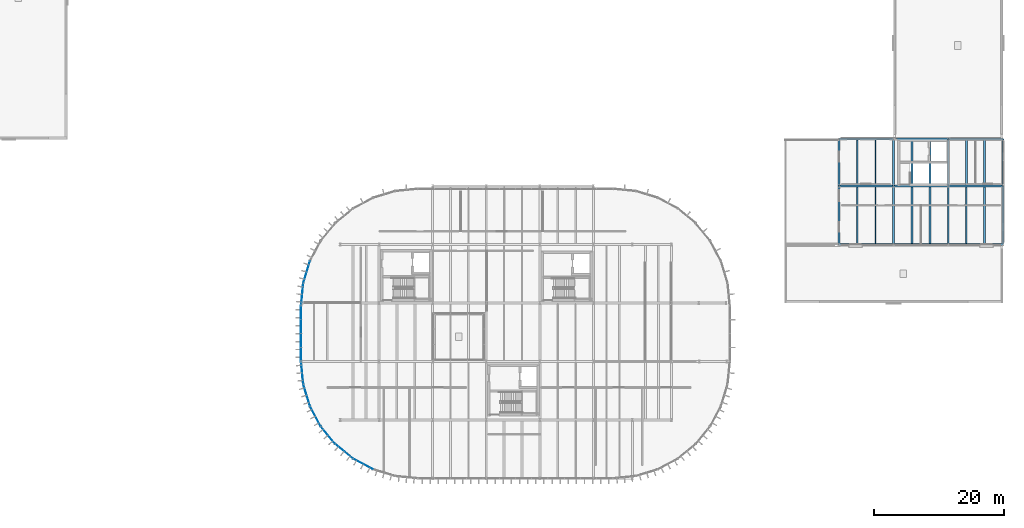
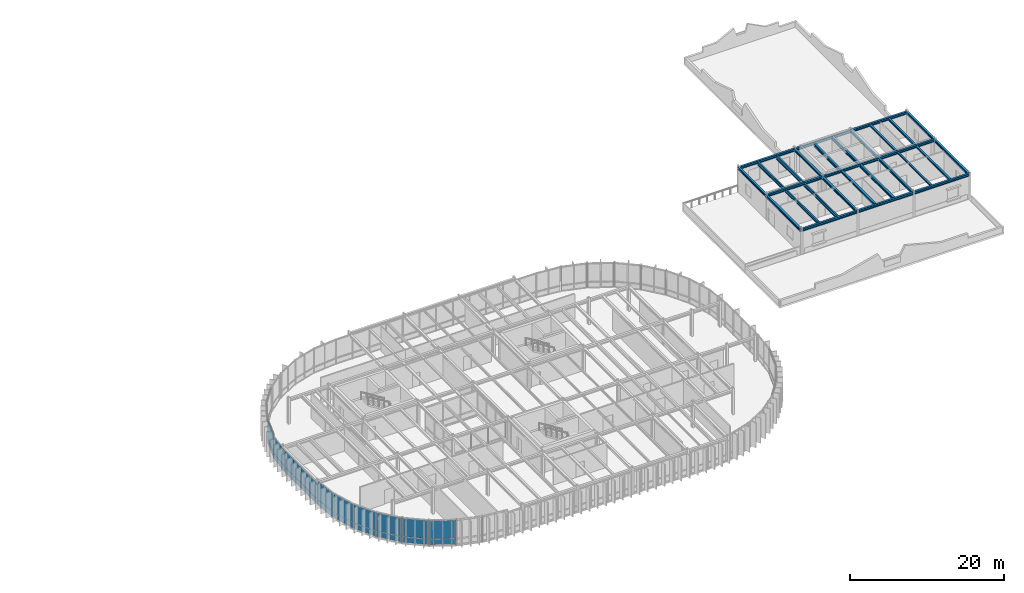
# One storey, part 16 of 31: 29 beams, 24 plates, 9 elements without a shape of their own.
"""IFC4 building model written with IfcOpenShell, lengths in metres."""

from ifc_helpers import new_model, si_unit, direction, frame, origin, origin_2d, place, context, subcontext, project, spatial, rectangle, i_section, extrude, material, layer, layer_set, material_profile, profile_set, type_object, element, aggregate, save


model = new_model("IFC4")

# Units and contexts
model_context = context("Model", 3, precision=1e-05, world=origin(), true_north=direction((0.0, 1.0)))
body_context = subcontext(model_context, "Body", "Model", "MODEL_VIEW")
ifc_project = project(units=[si_unit("LENGTHUNIT", "METRE"), si_unit("AREAUNIT", "SQUARE_METRE"), si_unit("VOLUMEUNIT", "CUBIC_METRE"), si_unit("PLANEANGLEUNIT", "RADIAN"), si_unit("MASSUNIT", "GRAM", prefix="KILO")], contexts=[model_context])

# Site, building, storey
site_placement = place(None, origin())
site = spatial("IfcSite", under=ifc_project, at=site_placement, CompositionType="ELEMENT")
building_placement = place(site_placement, origin())
building = spatial("IfcBuilding", under=site, at=building_placement, Name="Montealbar Specialist Clinic", CompositionType="ELEMENT")
storey_placement = place(building_placement, frame((0.0, 0.0, 13.800048828125)))
storey = spatial("IfcBuildingStorey", under=building, at=storey_placement, Name="L03", CompositionType="ELEMENT", Elevation=13.800048828125)

# Beams
ifc_material_1 = material(Name="Steel S355", Category="steel")
ifc_material_profile_1 = material_profile(ifc_material_1, i_section(OverallWidth=0.300048828125, OverallDepth=0.360107421875, WebThickness=0.012451171875, FlangeThickness=0.0224609375, FilletRadius=0.027099609375, at=origin_2d()), Name="HEB 360", Category="steel")
ifc_profile_set_1 = profile_set([ifc_material_profile_1], Name="Steel S355")
beam_type_1 = type_object("IfcBeamType", Name="BM-GIRD-HEB360-EXT", PredefinedType="BEAM", material=ifc_profile_set_1)
for number, where, z_axis, x_axis, name in (
    (1, (136.800048828125, 45.0, 3.75), (0.0, 1.0, 0.0), (-1.0, 0.0, 0.0), "Beam GY-L03-1368-450-522"),
    (2, (145.199951171875, 45.0, 3.75), (0.0, 1.0, 0.0), (-1.0, 0.0, 0.0), "Beam GY-L03-1452-450-522"),
    (3, (153.60009765625, 45.0, 3.75), (0.0, 1.0, 0.0), (-1.0, 0.0, 0.0), "Beam GY-L03-1536-450-522"),
    (4, (162.0, 45.0, 3.75), (0.0, 1.0, 0.0), (-1.0, 0.0, 0.0), "Beam GY-L03-1620-450-522"),
):
    element("IfcBeam", number, at=place(storey_placement, frame(where, z_axis=z_axis, x_axis=x_axis)), inside=storey, type_object=beam_type_1, Name=name, PredefinedType="BEAM", context=body_context, shape_type="SweptSolid", body=[
        extrude(i_section(OverallWidth=0.300048828125, OverallDepth=0.360107421875, WebThickness=0.012451171875, FlangeThickness=0.0224609375, FilletRadius=0.027099609375, at=origin_2d()), origin(), (0.0, 0.0, 1.0), 7.199951171875),
    ])
ifc_material_profile_2 = material_profile(ifc_material_1, i_section(OverallWidth=0.300048828125, OverallDepth=0.39990234375, WebThickness=0.013427734375, FlangeThickness=0.02392578125, FilletRadius=0.027099609375, at=origin_2d()), Name="HEB 400", Category="steel")
ifc_profile_set_2 = profile_set([ifc_material_profile_2], Name="Steel S355")
beam_type_2 = type_object("IfcBeamType", Name="BM-GIRD-HEB400-EXT", PredefinedType="BEAM", material=ifc_profile_set_2)
beam_1_placement = place(storey_placement, frame((136.800048828125, 36.0, 3.72998046875), z_axis=(1.0, 0.0, 0.0), x_axis=(0.0, 1.0, 0.0)))
element("IfcBeam", 5, at=beam_1_placement, inside=storey, type_object=beam_type_2, Name="Beam GX-L03-1368-1452-360", PredefinedType="BEAM", context=body_context, shape_type="SweptSolid", body=[
    extrude(i_section(OverallWidth=0.300048828125, OverallDepth=0.39990234375, WebThickness=0.013427734375, FlangeThickness=0.02392578125, FilletRadius=0.027099609375, at=origin_2d()), origin(), (0.0, 0.0, 1.0), 8.39990234375),
])
beam_2_placement = place(storey_placement, frame((145.199951171875, 36.0, 3.72998046875), z_axis=(1.0, 0.0, 0.0), x_axis=(0.0, 1.0, 0.0)))
element("IfcBeam", 6, at=beam_2_placement, inside=storey, type_object=beam_type_2, Name="Beam GX-L03-1452-1536-360", PredefinedType="BEAM", context=body_context, shape_type="SweptSolid", body=[
    extrude(i_section(OverallWidth=0.300048828125, OverallDepth=0.39990234375, WebThickness=0.013427734375, FlangeThickness=0.02392578125, FilletRadius=0.027099609375, at=origin_2d()), origin(), (0.0, 0.0, 1.0), 8.400146484375),
])
for number, where, z_axis, x_axis, name in (
    (7, (153.60009765625, 36.0, 3.72998046875), (1.0, 0.0, 0.0), (0.0, 1.0, 0.0), "Beam GX-L03-1536-1620-360"),
    (8, (136.800048828125, 45.0, 3.72998046875), (1.0, 0.0, 0.0), (0.0, 1.0, 0.0), "Beam GX-L03-1368-1452-450"),
):
    element("IfcBeam", number, at=place(storey_placement, frame(where, z_axis=z_axis, x_axis=x_axis)), inside=storey, type_object=beam_type_2, Name=name, PredefinedType="BEAM", context=body_context, shape_type="SweptSolid", body=[
        extrude(i_section(OverallWidth=0.300048828125, OverallDepth=0.39990234375, WebThickness=0.013427734375, FlangeThickness=0.02392578125, FilletRadius=0.027099609375, at=origin_2d()), origin(), (0.0, 0.0, 1.0), 8.39990234375),
    ])
beam_3_placement = place(storey_placement, frame((145.199951171875, 45.0, 3.72998046875), z_axis=(1.0, 0.0, 0.0), x_axis=(0.0, 1.0, 0.0)))
element("IfcBeam", 9, at=beam_3_placement, inside=storey, type_object=beam_type_2, Name="Beam GX-L03-1452-1536-450", PredefinedType="BEAM", context=body_context, shape_type="SweptSolid", body=[
    extrude(i_section(OverallWidth=0.300048828125, OverallDepth=0.39990234375, WebThickness=0.013427734375, FlangeThickness=0.02392578125, FilletRadius=0.027099609375, at=origin_2d()), origin(), (0.0, 0.0, 1.0), 8.400146484375),
])
for number, where, z_axis, x_axis, name in (
    (10, (153.60009765625, 45.0, 3.72998046875), (1.0, 0.0, 0.0), (0.0, 1.0, 0.0), "Beam GX-L03-1536-1620-450"),
    (11, (136.800048828125, 52.199951171875, 3.72998046875), (1.0, 0.0, 0.0), (0.0, 1.0, 0.0), "Beam GX-L03-1368-1452-522"),
):
    element("IfcBeam", number, at=place(storey_placement, frame(where, z_axis=z_axis, x_axis=x_axis)), inside=storey, type_object=beam_type_2, Name=name, PredefinedType="BEAM", context=body_context, shape_type="SweptSolid", body=[
        extrude(i_section(OverallWidth=0.300048828125, OverallDepth=0.39990234375, WebThickness=0.013427734375, FlangeThickness=0.02392578125, FilletRadius=0.027099609375, at=origin_2d()), origin(), (0.0, 0.0, 1.0), 8.39990234375),
    ])
beam_4_placement = place(storey_placement, frame((145.199951171875, 52.199951171875, 3.72998046875), z_axis=(1.0, 0.0, 0.0), x_axis=(0.0, 1.0, 0.0)))
element("IfcBeam", 12, at=beam_4_placement, inside=storey, type_object=beam_type_2, Name="Beam GX-L03-1452-1536-522", PredefinedType="BEAM", context=body_context, shape_type="SweptSolid", body=[
    extrude(i_section(OverallWidth=0.300048828125, OverallDepth=0.39990234375, WebThickness=0.013427734375, FlangeThickness=0.02392578125, FilletRadius=0.027099609375, at=origin_2d()), origin(), (0.0, 0.0, 1.0), 8.400146484375),
])
beam_5_placement = place(storey_placement, frame((153.60009765625, 52.199951171875, 3.72998046875), z_axis=(1.0, 0.0, 0.0), x_axis=(0.0, 1.0, 0.0)))
element("IfcBeam", 13, at=beam_5_placement, inside=storey, type_object=beam_type_2, Name="Beam GX-L03-1536-1620-522", PredefinedType="BEAM", context=body_context, shape_type="SweptSolid", body=[
    extrude(i_section(OverallWidth=0.300048828125, OverallDepth=0.39990234375, WebThickness=0.013427734375, FlangeThickness=0.02392578125, FilletRadius=0.027099609375, at=origin_2d()), origin(), (0.0, 0.0, 1.0), 8.39990234375),
])
for number, where, z_axis, x_axis, name in (
    (14, (136.800048828125, 36.0, 3.72998046875), (0.0, 1.0, 0.0), (-1.0, 0.0, 0.0), "Beam GY-L03-1368-360-450"),
    (15, (145.199951171875, 36.0, 3.72998046875), (0.0, 1.0, 0.0), (-1.0, 0.0, 0.0), "Beam GY-L03-1452-360-450"),
    (16, (153.60009765625, 36.0, 3.72998046875), (0.0, 1.0, 0.0), (-1.0, 0.0, 0.0), "Beam GY-L03-1536-360-450"),
    (17, (162.0, 36.0, 3.72998046875), (0.0, 1.0, 0.0), (-1.0, 0.0, 0.0), "Beam GY-L03-1620-360-450"),
):
    element("IfcBeam", number, at=place(storey_placement, frame(where, z_axis=z_axis, x_axis=x_axis)), inside=storey, type_object=beam_type_2, Name=name, PredefinedType="BEAM", context=body_context, shape_type="SweptSolid", body=[
        extrude(i_section(OverallWidth=0.300048828125, OverallDepth=0.39990234375, WebThickness=0.013427734375, FlangeThickness=0.02392578125, FilletRadius=0.027099609375, at=origin_2d()), origin(), (0.0, 0.0, 1.0), 9.0),
    ])
ifc_material_profile_3 = material_profile(ifc_material_1, i_section(OverallWidth=0.300048828125, OverallDepth=0.35009765625, WebThickness=0.010009765625, FlangeThickness=0.017578125, FilletRadius=0.027099609375, at=origin_2d()), Name="HEA 360", Category="steel")
ifc_profile_set_3 = profile_set([ifc_material_profile_3], Name="Steel S355")
beam_type_3 = type_object("IfcBeamType", Name="BM-JST-HEA360", PredefinedType="JOIST", material=ifc_profile_set_3)
beam_6_placement = place(storey_placement, frame((148.0, 36.14990234375, 3.7548828125), z_axis=(0.0, 1.0, 0.0), x_axis=(-1.0, 0.0, 0.0)))
element("IfcBeam", 18, at=beam_6_placement, inside=storey, type_object=beam_type_3, Name="Beam JST-L03-1480-362-448", PredefinedType="JOIST", context=body_context, shape_type="SweptSolid", body=[
    extrude(i_section(OverallWidth=0.300048828125, OverallDepth=0.35009765625, WebThickness=0.010009765625, FlangeThickness=0.017578125, FilletRadius=0.027099609375, at=origin_2d()), origin(), (0.0, 0.0, 1.0), 8.7001953125),
])
ifc_material_profile_4 = material_profile(ifc_material_1, i_section(OverallWidth=0.300048828125, OverallDepth=0.43994140625, WebThickness=0.011474609375, FlangeThickness=0.02099609375, FilletRadius=0.027099609375, at=origin_2d()), Name="HEA 450", Category="steel")
ifc_profile_set_4 = profile_set([ifc_material_profile_4], Name="Steel S355")
beam_type_4 = type_object("IfcBeamType", Name="BM-JST-HEA450", PredefinedType="JOIST", material=ifc_profile_set_4)
beam_7_placement = place(storey_placement, frame((150.800048828125, 36.14990234375, 3.7099609375), z_axis=(0.0, 1.0, 0.0), x_axis=(-1.0, 0.0, 0.0)))
element("IfcBeam", 19, at=beam_7_placement, inside=storey, type_object=beam_type_4, Name="Beam JST-L03-1508-362-448", PredefinedType="JOIST", context=body_context, shape_type="SweptSolid", body=[
    extrude(i_section(OverallWidth=0.300048828125, OverallDepth=0.43994140625, WebThickness=0.011474609375, FlangeThickness=0.02099609375, FilletRadius=0.027099609375, at=origin_2d()), origin(), (0.0, 0.0, 1.0), 8.7001953125),
])
beam_8_placement = place(storey_placement, frame((148.0, 45.14990234375, 3.7099609375), z_axis=(0.0, 1.0, 0.0), x_axis=(-1.0, 0.0, 0.0)))
element("IfcBeam", 20, at=beam_8_placement, inside=storey, type_object=beam_type_4, Name="Beam JST-L03-1480-452-520", PredefinedType="JOIST", context=body_context, shape_type="SweptSolid", body=[
    extrude(i_section(OverallWidth=0.300048828125, OverallDepth=0.43994140625, WebThickness=0.011474609375, FlangeThickness=0.02099609375, FilletRadius=0.027099609375, at=origin_2d()), origin(), (0.0, 0.0, 1.0), 6.900146484375),
])
ifc_material_profile_5 = material_profile(ifc_material_1, i_section(OverallWidth=0.300048828125, OverallDepth=0.489990234375, WebThickness=0.011962890625, FlangeThickness=0.02294921875, FilletRadius=0.027099609375, at=origin_2d()), Name="HEA 500", Category="steel")
ifc_profile_set_5 = profile_set([ifc_material_profile_5], Name="Steel S355")
beam_type_5 = type_object("IfcBeamType", Name="BM-JST-HEA500", PredefinedType="JOIST", material=ifc_profile_set_5)
beam_9_placement = place(storey_placement, frame((150.800048828125, 45.14990234375, 3.68505859375), z_axis=(0.0, 1.0, 0.0), x_axis=(-1.0, 0.0, 0.0)))
element("IfcBeam", 21, at=beam_9_placement, inside=storey, type_object=beam_type_5, Name="Beam JST-L03-1508-452-520", PredefinedType="JOIST", context=body_context, shape_type="SweptSolid", body=[
    extrude(i_section(OverallWidth=0.300048828125, OverallDepth=0.489990234375, WebThickness=0.011962890625, FlangeThickness=0.02294921875, FilletRadius=0.027099609375, at=origin_2d()), origin(), (0.0, 0.0, 1.0), 6.900146484375),
])
ifc_material_profile_6 = material_profile(ifc_material_1, i_section(OverallWidth=0.239990234375, OverallDepth=0.239990234375, WebThickness=0.010009765625, FlangeThickness=0.01708984375, FilletRadius=0.02099609375, at=origin_2d()), Name="HEB 240", Category="steel")
ifc_profile_set_6 = profile_set([ifc_material_profile_6], Name="Steel S355")
beam_type_6 = type_object("IfcBeamType", Name="BM-JST-HEB240", PredefinedType="JOIST", material=ifc_profile_set_6)
beam_10_placement = place(storey_placement, frame((156.39990234375, 36.14990234375, 3.81005859375), z_axis=(0.0, 1.0, 0.0), x_axis=(-1.0, 0.0, 0.0)))
element("IfcBeam", 22, at=beam_10_placement, inside=storey, type_object=beam_type_6, Name="Beam JST-L03-1564-362-448", PredefinedType="JOIST", context=body_context, shape_type="SweptSolid", body=[
    extrude(i_section(OverallWidth=0.239990234375, OverallDepth=0.239990234375, WebThickness=0.010009765625, FlangeThickness=0.01708984375, FilletRadius=0.02099609375, at=origin_2d()), origin(), (0.0, 0.0, 1.0), 8.7001953125),
])
ifc_material_profile_7 = material_profile(ifc_material_1, i_section(OverallWidth=0.280029296875, OverallDepth=0.280029296875, WebThickness=0.010498046875, FlangeThickness=0.01806640625, FilletRadius=0.02392578125, at=origin_2d()), Name="HEB 280", Category="steel")
ifc_profile_set_7 = profile_set([ifc_material_profile_7], Name="Steel S355")
beam_type_7 = type_object("IfcBeamType", Name="BM-JST-HEB280", PredefinedType="JOIST", material=ifc_profile_set_7)
beam_11_placement = place(storey_placement, frame((159.199951171875, 36.14990234375, 3.7900390625), z_axis=(0.0, 1.0, 0.0), x_axis=(-1.0, 0.0, 0.0)))
element("IfcBeam", 23, at=beam_11_placement, inside=storey, type_object=beam_type_7, Name="Beam JST-L03-1592-362-448", PredefinedType="JOIST", context=body_context, shape_type="SweptSolid", body=[
    extrude(i_section(OverallWidth=0.280029296875, OverallDepth=0.280029296875, WebThickness=0.010498046875, FlangeThickness=0.01806640625, FilletRadius=0.02392578125, at=origin_2d()), origin(), (0.0, 0.0, 1.0), 8.7001953125),
])
beam_12_placement = place(storey_placement, frame((156.39990234375, 45.14990234375, 3.7900390625), z_axis=(0.0, 1.0, 0.0), x_axis=(-1.0, 0.0, 0.0)))
element("IfcBeam", 24, at=beam_12_placement, inside=storey, type_object=beam_type_7, Name="Beam JST-L03-1564-452-520", PredefinedType="JOIST", context=body_context, shape_type="SweptSolid", body=[
    extrude(i_section(OverallWidth=0.280029296875, OverallDepth=0.280029296875, WebThickness=0.010498046875, FlangeThickness=0.01806640625, FilletRadius=0.02392578125, at=origin_2d()), origin(), (0.0, 0.0, 1.0), 6.900146484375),
])
ifc_material_profile_8 = material_profile(ifc_material_1, i_section(OverallWidth=0.300048828125, OverallDepth=0.320068359375, WebThickness=0.011474609375, FlangeThickness=0.0205078125, FilletRadius=0.027099609375, at=origin_2d()), Name="HEB 320", Category="steel")
ifc_profile_set_8 = profile_set([ifc_material_profile_8], Name="Steel S355")
beam_type_8 = type_object("IfcBeamType", Name="BM-JST-HEB320", PredefinedType="JOIST", material=ifc_profile_set_8)
beam_13_placement = place(storey_placement, frame((159.199951171875, 45.14990234375, 3.77001953125), z_axis=(0.0, 1.0, 0.0), x_axis=(-1.0, 0.0, 0.0)))
element("IfcBeam", 25, at=beam_13_placement, inside=storey, type_object=beam_type_8, Name="Beam JST-L03-1592-452-520", PredefinedType="JOIST", context=body_context, shape_type="SweptSolid", body=[
    extrude(i_section(OverallWidth=0.300048828125, OverallDepth=0.320068359375, WebThickness=0.011474609375, FlangeThickness=0.0205078125, FilletRadius=0.027099609375, at=origin_2d()), origin(), (0.0, 0.0, 1.0), 6.900146484375),
])
ifc_material_profile_9 = material_profile(ifc_material_1, i_section(OverallWidth=0.199951171875, OverallDepth=0.5, WebThickness=0.01025390625, FlangeThickness=0.01611328125, FilletRadius=0.02099609375, at=origin_2d()), Name="IPE 500", Category="steel")
ifc_profile_set_9 = profile_set([ifc_material_profile_9], Name="Steel S355")
beam_type_9 = type_object("IfcBeamType", Name="BM-JST-IPE500", PredefinedType="JOIST", material=ifc_profile_set_9)
beam_14_placement = place(storey_placement, frame((139.60009765625, 36.14990234375, 3.679931640625), z_axis=(0.0, 1.0, 0.0), x_axis=(-1.0, 0.0, 0.0)))
element("IfcBeam", 26, at=beam_14_placement, inside=storey, type_object=beam_type_9, Name="Beam JST-L03-1396-362-448", PredefinedType="JOIST", context=body_context, shape_type="SweptSolid", body=[
    extrude(i_section(OverallWidth=0.199951171875, OverallDepth=0.5, WebThickness=0.01025390625, FlangeThickness=0.01611328125, FilletRadius=0.02099609375, at=origin_2d()), origin(), (0.0, 0.0, 1.0), 8.7001953125),
])
ifc_material_profile_10 = material_profile(ifc_material_1, i_section(OverallWidth=0.2099609375, OverallDepth=0.550048828125, WebThickness=0.010986328125, FlangeThickness=0.01708984375, FilletRadius=0.02392578125, at=origin_2d()), Name="IPE 550", Category="steel")
ifc_profile_set_10 = profile_set([ifc_material_profile_10], Name="Steel S355")
beam_type_10 = type_object("IfcBeamType", Name="BM-JST-IPE550", PredefinedType="JOIST", material=ifc_profile_set_10)
beam_15_placement = place(storey_placement, frame((142.39990234375, 36.14990234375, 3.655029296875), z_axis=(0.0, 1.0, 0.0), x_axis=(-1.0, 0.0, 0.0)))
element("IfcBeam", 27, at=beam_15_placement, inside=storey, type_object=beam_type_10, Name="Beam JST-L03-1424-362-448", PredefinedType="JOIST", context=body_context, shape_type="SweptSolid", body=[
    extrude(i_section(OverallWidth=0.2099609375, OverallDepth=0.550048828125, WebThickness=0.010986328125, FlangeThickness=0.01708984375, FilletRadius=0.02392578125, at=origin_2d()), origin(), (0.0, 0.0, 1.0), 8.7001953125),
])
beam_16_placement = place(storey_placement, frame((139.60009765625, 45.14990234375, 3.655029296875), z_axis=(0.0, 1.0, 0.0), x_axis=(-1.0, 0.0, 0.0)))
element("IfcBeam", 28, at=beam_16_placement, inside=storey, type_object=beam_type_10, Name="Beam JST-L03-1396-452-520", PredefinedType="JOIST", context=body_context, shape_type="SweptSolid", body=[
    extrude(i_section(OverallWidth=0.2099609375, OverallDepth=0.550048828125, WebThickness=0.010986328125, FlangeThickness=0.01708984375, FilletRadius=0.02392578125, at=origin_2d()), origin(), (0.0, 0.0, 1.0), 6.900146484375),
])
ifc_material_profile_11 = material_profile(ifc_material_1, i_section(OverallWidth=0.219970703125, OverallDepth=0.60009765625, WebThickness=0.011962890625, FlangeThickness=0.01904296875, FilletRadius=0.02392578125, at=origin_2d()), Name="IPE 600", Category="steel")
ifc_profile_set_11 = profile_set([ifc_material_profile_11], Name="Steel S355")
beam_type_11 = type_object("IfcBeamType", Name="BM-JST-IPE600", PredefinedType="JOIST", material=ifc_profile_set_11)
beam_17_placement = place(storey_placement, frame((142.39990234375, 45.14990234375, 3.6298828125), z_axis=(0.0, 1.0, 0.0), x_axis=(-1.0, 0.0, 0.0)))
element("IfcBeam", 29, at=beam_17_placement, inside=storey, type_object=beam_type_11, Name="Beam JST-L03-1424-452-520", PredefinedType="JOIST", context=body_context, shape_type="SweptSolid", body=[
    extrude(i_section(OverallWidth=0.219970703125, OverallDepth=0.60009765625, WebThickness=0.011962890625, FlangeThickness=0.01904296875, FilletRadius=0.02392578125, at=origin_2d()), origin(), (0.0, 0.0, 1.0), 6.900146484375),
])

# Curtain wall, plates
ifc_material_2 = material(Name="Low-E double glazing", Category="glass")
ifc_layer_1 = layer(ifc_material_2, 0.199951171875, Name="Low-E double glazing", Category="glass")
ifc_layer_set_1 = layer_set([ifc_layer_1], Name="Low-E double glazing")
curtain_wall_type_1 = type_object("IfcCurtainWallType", Name="CW-TYPE-18", PredefinedType="NOTDEFINED", material=ifc_layer_set_1)
curtain_wall_1_placement = place(storey_placement, origin())
curtain_wall_1 = element("IfcCurtainWall", 30, at=curtain_wall_1_placement, inside=storey, type_object=curtain_wall_type_1, Name="Unitised Curtain Wall CW-L03-540-266-543-301-138", PredefinedType="NOTDEFINED")
ifc_layer_2 = layer(ifc_material_2, 0.0380859375, Name="Low-E double glazing", Category="glass")
ifc_layer_set_2 = layer_set([ifc_layer_2], Name="Low-E double glazing")
plate_type = type_object("IfcPlateType", Name="CW-PNL-IGU38", PredefinedType="CURTAIN_PANEL", material=ifc_layer_set_2)
plate_1_placement = place(storey_placement, frame((54.173095703125, 28.305908203125, 0.06982421875), z_axis=(0.0, 0.0, 1.0), x_axis=(0.098044697094, 0.995182012183, 0.0)))
plate_1 = element("IfcPlate", 31, at=plate_1_placement, type_object=plate_type, Name="Glazed Curtain Panel CW-L03-540-266-543-301-138-1-1", PredefinedType="CURTAIN_PANEL", context=body_context, shape_type="SweptSolid", body=[
    extrude(rectangle(XDim=3.445068359375, YDim=0.0380859375, at=origin_2d()), origin(), (0.0, 0.0, 1.0), 0.85009765625),
])
plate_2_placement = place(storey_placement, frame((54.173095703125, 28.305908203125, 0.97998046875), z_axis=(0.0, 0.0, 1.0), x_axis=(0.098044697094, 0.995182012183, 0.0)))
plate_2 = element("IfcPlate", 32, at=plate_2_placement, type_object=plate_type, Name="Glazed Curtain Panel CW-L03-540-266-543-301-138-1-2", PredefinedType="CURTAIN_PANEL", context=body_context, shape_type="SweptSolid", body=[
    extrude(rectangle(XDim=3.445068359375, YDim=0.0380859375, at=origin_2d()), origin(), (0.0, 0.0, 1.0), 2.489990234375),
])
aggregate(curtain_wall_1, [plate_1, plate_2])

ifc_layer_3 = layer(ifc_material_2, 0.199951171875, Name="Low-E double glazing", Category="glass")
ifc_layer_set_3 = layer_set([ifc_layer_3], Name="Low-E double glazing")
curtain_wall_type_2 = type_object("IfcCurtainWallType", Name="CW-TYPE-19", PredefinedType="NOTDEFINED", material=ifc_layer_set_3)
curtain_wall_2_placement = place(storey_placement, origin())
curtain_wall_2 = element("IfcCurtainWall", 33, at=curtain_wall_2_placement, inside=storey, type_object=curtain_wall_type_2, Name="Unitised Curtain Wall CW-L03-543-301-554-334-138", PredefinedType="NOTDEFINED")
plate_3_placement = place(storey_placement, frame((54.85791015625, 31.75, 0.06982421875), z_axis=(0.0, 0.0, 1.0), x_axis=(0.290259134399, 0.956948083701, 0.0)))
plate_3 = element("IfcPlate", 34, at=plate_3_placement, type_object=plate_type, Name="Glazed Curtain Panel CW-L03-543-301-554-334-138-1-1", PredefinedType="CURTAIN_PANEL", context=body_context, shape_type="SweptSolid", body=[
    extrude(rectangle(XDim=3.444091796875, YDim=0.0380859375, at=origin_2d()), origin(), (0.0, 0.0, 1.0), 0.85009765625),
])
plate_4_placement = place(storey_placement, frame((54.85791015625, 31.75, 0.97998046875), z_axis=(0.0, 0.0, 1.0), x_axis=(0.290259134399, 0.956948083701, 0.0)))
plate_4 = element("IfcPlate", 35, at=plate_4_placement, type_object=plate_type, Name="Glazed Curtain Panel CW-L03-543-301-554-334-138-1-2", PredefinedType="CURTAIN_PANEL", context=body_context, shape_type="SweptSolid", body=[
    extrude(rectangle(XDim=3.444091796875, YDim=0.0380859375, at=origin_2d()), origin(), (0.0, 0.0, 1.0), 2.889892578125),
])
aggregate(curtain_wall_2, [plate_3, plate_4])

curtain_wall_3_placement = place(storey_placement, origin())
curtain_wall_3 = element("IfcCurtainWall", 36, at=curtain_wall_3_placement, inside=storey, type_object=curtain_wall_type_2, Name="Unitised Curtain Wall CW-L03-651-14-620-30-138", PredefinedType="NOTDEFINED")
plate_5_placement = place(storey_placement, frame((63.555908203125, 2.201904296875, 0.06982421875), z_axis=(0.0, 0.0, 1.0), x_axis=(-0.881850411644, 0.471529268958, 0.0)))
plate_5 = element("IfcPlate", 37, at=plate_5_placement, type_object=plate_type, Name="Glazed Curtain Panel CW-L03-651-14-620-30-138-1-1", PredefinedType="CURTAIN_PANEL", context=body_context, shape_type="SweptSolid", body=[
    extrude(rectangle(XDim=3.445068359375, YDim=0.0380859375, at=origin_2d()), origin(), (0.0, 0.0, 1.0), 0.85009765625),
])
plate_6_placement = place(storey_placement, frame((63.555908203125, 2.201904296875, 0.97998046875), z_axis=(0.0, 0.0, 1.0), x_axis=(-0.881850411644, 0.471529268958, 0.0)))
plate_6 = element("IfcPlate", 38, at=plate_6_placement, type_object=plate_type, Name="Glazed Curtain Panel CW-L03-651-14-620-30-138-1-2", PredefinedType="CURTAIN_PANEL", context=body_context, shape_type="SweptSolid", body=[
    extrude(rectangle(XDim=3.445068359375, YDim=0.0380859375, at=origin_2d()), origin(), (0.0, 0.0, 1.0), 2.889892578125),
])
aggregate(curtain_wall_3, [plate_5, plate_6])

curtain_wall_4_placement = place(storey_placement, origin())
curtain_wall_4 = element("IfcCurtainWall", 39, at=curtain_wall_4_placement, inside=storey, type_object=curtain_wall_type_2, Name="Unitised Curtain Wall CW-L03-620-30-593-53-138", PredefinedType="NOTDEFINED")
plate_7_placement = place(storey_placement, frame((60.635986328125, 4.153076171875, 0.06982421875), z_axis=(0.0, 0.0, 1.0), x_axis=(-0.773123255923, 0.634255808922, 0.0)))
plate_7 = element("IfcPlate", 40, at=plate_7_placement, type_object=plate_type, Name="Glazed Curtain Panel CW-L03-620-30-593-53-138-1-1", PredefinedType="CURTAIN_PANEL", context=body_context, shape_type="SweptSolid", body=[
    extrude(rectangle(XDim=3.445068359375, YDim=0.0380859375, at=origin_2d()), origin(), (0.0, 0.0, 1.0), 0.85009765625),
])
plate_8_placement = place(storey_placement, frame((60.635986328125, 4.153076171875, 0.97998046875), z_axis=(0.0, 0.0, 1.0), x_axis=(-0.773123255923, 0.634255808922, 0.0)))
plate_8 = element("IfcPlate", 41, at=plate_8_placement, type_object=plate_type, Name="Glazed Curtain Panel CW-L03-620-30-593-53-138-1-2", PredefinedType="CURTAIN_PANEL", context=body_context, shape_type="SweptSolid", body=[
    extrude(rectangle(XDim=3.445068359375, YDim=0.0380859375, at=origin_2d()), origin(), (0.0, 0.0, 1.0), 2.889892578125),
])
aggregate(curtain_wall_4, [plate_7, plate_8])

curtain_wall_5_placement = place(storey_placement, origin())
curtain_wall_5 = element("IfcCurtainWall", 42, at=curtain_wall_5_placement, inside=storey, type_object=curtain_wall_type_2, Name="Unitised Curtain Wall CW-L03-593-53-570-80-138", PredefinedType="NOTDEFINED")
plate_9_placement = place(storey_placement, frame((58.153076171875, 6.635986328125, 0.06982421875), z_axis=(0.0, 0.0, 1.0), x_axis=(-0.634255808922, 0.773123255923, 0.0)))
plate_9 = element("IfcPlate", 43, at=plate_9_placement, type_object=plate_type, Name="Glazed Curtain Panel CW-L03-593-53-570-80-138-1-1", PredefinedType="CURTAIN_PANEL", context=body_context, shape_type="SweptSolid", body=[
    extrude(rectangle(XDim=3.445068359375, YDim=0.0380859375, at=origin_2d()), origin(), (0.0, 0.0, 1.0), 0.85009765625),
])
plate_10_placement = place(storey_placement, frame((58.153076171875, 6.635986328125, 0.97998046875), z_axis=(0.0, 0.0, 1.0), x_axis=(-0.634255808922, 0.773123255923, 0.0)))
plate_10 = element("IfcPlate", 44, at=plate_10_placement, type_object=plate_type, Name="Glazed Curtain Panel CW-L03-593-53-570-80-138-1-2", PredefinedType="CURTAIN_PANEL", context=body_context, shape_type="SweptSolid", body=[
    extrude(rectangle(XDim=3.445068359375, YDim=0.0380859375, at=origin_2d()), origin(), (0.0, 0.0, 1.0), 2.889892578125),
])
aggregate(curtain_wall_5, [plate_9, plate_10])

curtain_wall_6_placement = place(storey_placement, origin())
curtain_wall_6 = element("IfcCurtainWall", 45, at=curtain_wall_6_placement, inside=storey, type_object=curtain_wall_type_2, Name="Unitised Curtain Wall CW-L03-570-80-554-111-138", PredefinedType="NOTDEFINED")
plate_11_placement = place(storey_placement, frame((56.201904296875, 9.555908203125, 0.06982421875), z_axis=(0.0, 0.0, 1.0), x_axis=(-0.471529268958, 0.881850411644, 0.0)))
plate_11 = element("IfcPlate", 46, at=plate_11_placement, type_object=plate_type, Name="Glazed Curtain Panel CW-L03-570-80-554-111-138-1-1", PredefinedType="CURTAIN_PANEL", context=body_context, shape_type="SweptSolid", body=[
    extrude(rectangle(XDim=3.445068359375, YDim=0.0380859375, at=origin_2d()), origin(), (0.0, 0.0, 1.0), 0.85009765625),
])
plate_12_placement = place(storey_placement, frame((56.201904296875, 9.555908203125, 0.97998046875), z_axis=(0.0, 0.0, 1.0), x_axis=(-0.471529268958, 0.881850411644, 0.0)))
plate_12 = element("IfcPlate", 47, at=plate_12_placement, type_object=plate_type, Name="Glazed Curtain Panel CW-L03-570-80-554-111-138-1-2", PredefinedType="CURTAIN_PANEL", context=body_context, shape_type="SweptSolid", body=[
    extrude(rectangle(XDim=3.445068359375, YDim=0.0380859375, at=origin_2d()), origin(), (0.0, 0.0, 1.0), 2.889892578125),
])
aggregate(curtain_wall_6, [plate_11, plate_12])

curtain_wall_7_placement = place(storey_placement, origin())
curtain_wall_7 = element("IfcCurtainWall", 48, at=curtain_wall_7_placement, inside=storey, type_object=curtain_wall_type_2, Name="Unitised Curtain Wall CW-L03-554-111-543-145-138", PredefinedType="NOTDEFINED")
plate_13_placement = place(storey_placement, frame((54.85791015625, 12.800048828125, 0.06982421875), z_axis=(0.0, 0.0, 1.0), x_axis=(-0.290259134399, 0.956948083701, 0.0)))
plate_13 = element("IfcPlate", 49, at=plate_13_placement, type_object=plate_type, Name="Glazed Curtain Panel CW-L03-554-111-543-145-138-1-1", PredefinedType="CURTAIN_PANEL", context=body_context, shape_type="SweptSolid", body=[
    extrude(rectangle(XDim=3.444091796875, YDim=0.0380859375, at=origin_2d()), origin(), (0.0, 0.0, 1.0), 0.85009765625),
])
plate_14_placement = place(storey_placement, frame((54.85791015625, 12.800048828125, 0.97998046875), z_axis=(0.0, 0.0, 1.0), x_axis=(-0.290259134399, 0.956948083701, 0.0)))
plate_14 = element("IfcPlate", 50, at=plate_14_placement, type_object=plate_type, Name="Glazed Curtain Panel CW-L03-554-111-543-145-138-1-2", PredefinedType="CURTAIN_PANEL", context=body_context, shape_type="SweptSolid", body=[
    extrude(rectangle(XDim=3.444091796875, YDim=0.0380859375, at=origin_2d()), origin(), (0.0, 0.0, 1.0), 2.889892578125),
])
aggregate(curtain_wall_7, [plate_13, plate_14])

curtain_wall_8_placement = place(storey_placement, origin())
curtain_wall_8 = element("IfcCurtainWall", 51, at=curtain_wall_8_placement, inside=storey, type_object=curtain_wall_type_2, Name="Unitised Curtain Wall CW-L03-543-145-540-180-138", PredefinedType="NOTDEFINED")
plate_15_placement = place(storey_placement, frame((54.173095703125, 16.243896484375, 0.06982421875), z_axis=(0.0, 0.0, 1.0), x_axis=(-0.098044697094, 0.995182012183, 0.0)))
plate_15 = element("IfcPlate", 52, at=plate_15_placement, type_object=plate_type, Name="Glazed Curtain Panel CW-L03-543-145-540-180-138-1-1", PredefinedType="CURTAIN_PANEL", context=body_context, shape_type="SweptSolid", body=[
    extrude(rectangle(XDim=3.445068359375, YDim=0.0380859375, at=origin_2d()), origin(), (0.0, 0.0, 1.0), 0.85009765625),
])
plate_16_placement = place(storey_placement, frame((54.173095703125, 16.243896484375, 0.97998046875), z_axis=(0.0, 0.0, 1.0), x_axis=(-0.098044697094, 0.995182012183, 0.0)))
plate_16 = element("IfcPlate", 53, at=plate_16_placement, type_object=plate_type, Name="Glazed Curtain Panel CW-L03-543-145-540-180-138-1-2", PredefinedType="CURTAIN_PANEL", context=body_context, shape_type="SweptSolid", body=[
    extrude(rectangle(XDim=3.445068359375, YDim=0.0380859375, at=origin_2d()), origin(), (0.0, 0.0, 1.0), 2.889892578125),
])
aggregate(curtain_wall_8, [plate_15, plate_16])

ifc_layer_4 = layer(ifc_material_2, 0.199951171875, Name="Low-E double glazing", Category="glass")
ifc_layer_set_4 = layer_set([ifc_layer_4], Name="Low-E double glazing")
curtain_wall_type_3 = type_object("IfcCurtainWallType", Name="CW-TYPE-23", PredefinedType="NOTDEFINED", material=ifc_layer_set_4)
curtain_wall_9_placement = place(storey_placement, origin())
curtain_wall_9 = element("IfcCurtainWall", 54, at=curtain_wall_9_placement, inside=storey, type_object=curtain_wall_type_3, Name="Unitised Curtain Wall CW-L03-540-180-540-266-138", PredefinedType="NOTDEFINED")
plate_17_placement = place(storey_placement, frame((54.0, 19.069091796875, 0.06982421875), z_axis=(0.0, 0.0, 1.0), x_axis=(0.0, 1.0, 0.0)))
plate_17 = element("IfcPlate", 55, at=plate_17_placement, type_object=plate_type, Name="Glazed Curtain Panel CW-L03-540-180-540-266-138-1-1", PredefinedType="CURTAIN_PANEL", context=body_context, shape_type="SweptSolid", body=[
    extrude(rectangle(XDim=2.053955078125, YDim=0.0380859375, at=origin_2d()), origin(), (0.0, 0.0, 1.0), 0.85009765625),
])
plate_18_placement = place(storey_placement, frame((54.0, 19.069091796875, 0.97998046875), z_axis=(0.0, 0.0, 1.0), x_axis=(0.0, 1.0, 0.0)))
plate_18 = element("IfcPlate", 56, at=plate_18_placement, type_object=plate_type, Name="Glazed Curtain Panel CW-L03-540-180-540-266-138-1-2", PredefinedType="CURTAIN_PANEL", context=body_context, shape_type="SweptSolid", body=[
    extrude(rectangle(XDim=2.053955078125, YDim=0.0380859375, at=origin_2d()), origin(), (0.0, 0.0, 1.0), 2.489990234375),
])
plate_19_placement = place(storey_placement, frame((54.0, 21.2060546875, 0.06982421875), z_axis=(0.0, 0.0, 1.0), x_axis=(0.0, 1.0, 0.0)))
plate_19 = element("IfcPlate", 57, at=plate_19_placement, type_object=plate_type, Name="Glazed Curtain Panel CW-L03-540-180-540-266-138-2-1", PredefinedType="CURTAIN_PANEL", context=body_context, shape_type="SweptSolid", body=[
    extrude(rectangle(XDim=2.053955078125, YDim=0.0380859375, at=origin_2d()), origin(), (0.0, 0.0, 1.0), 0.85009765625),
])
plate_20_placement = place(storey_placement, frame((54.0, 21.2060546875, 0.97998046875), z_axis=(0.0, 0.0, 1.0), x_axis=(0.0, 1.0, 0.0)))
plate_20 = element("IfcPlate", 58, at=plate_20_placement, type_object=plate_type, Name="Glazed Curtain Panel CW-L03-540-180-540-266-138-2-2", PredefinedType="CURTAIN_PANEL", context=body_context, shape_type="SweptSolid", body=[
    extrude(rectangle(XDim=2.053955078125, YDim=0.0380859375, at=origin_2d()), origin(), (0.0, 0.0, 1.0), 2.489990234375),
])
plate_21_placement = place(storey_placement, frame((54.0, 23.343994140625, 0.06982421875), z_axis=(0.0, 0.0, 1.0), x_axis=(0.0, 1.0, 0.0)))
plate_21 = element("IfcPlate", 59, at=plate_21_placement, type_object=plate_type, Name="Glazed Curtain Panel CW-L03-540-180-540-266-138-3-1", PredefinedType="CURTAIN_PANEL", context=body_context, shape_type="SweptSolid", body=[
    extrude(rectangle(XDim=2.053955078125, YDim=0.0380859375, at=origin_2d()), origin(), (0.0, 0.0, 1.0), 0.85009765625),
])
plate_22_placement = place(storey_placement, frame((54.0, 23.343994140625, 0.97998046875), z_axis=(0.0, 0.0, 1.0), x_axis=(0.0, 1.0, 0.0)))
plate_22 = element("IfcPlate", 60, at=plate_22_placement, type_object=plate_type, Name="Glazed Curtain Panel CW-L03-540-180-540-266-138-3-2", PredefinedType="CURTAIN_PANEL", context=body_context, shape_type="SweptSolid", body=[
    extrude(rectangle(XDim=2.053955078125, YDim=0.0380859375, at=origin_2d()), origin(), (0.0, 0.0, 1.0), 2.489990234375),
])
plate_23_placement = place(storey_placement, frame((54.0, 25.48095703125, 0.06982421875), z_axis=(0.0, 0.0, 1.0), x_axis=(0.0, 1.0, 0.0)))
plate_23 = element("IfcPlate", 61, at=plate_23_placement, type_object=plate_type, Name="Glazed Curtain Panel CW-L03-540-180-540-266-138-4-1", PredefinedType="CURTAIN_PANEL", context=body_context, shape_type="SweptSolid", body=[
    extrude(rectangle(XDim=2.053955078125, YDim=0.0380859375, at=origin_2d()), origin(), (0.0, 0.0, 1.0), 0.85009765625),
])
plate_24_placement = place(storey_placement, frame((54.0, 25.48095703125, 0.97998046875), z_axis=(0.0, 0.0, 1.0), x_axis=(0.0, 1.0, 0.0)))
plate_24 = element("IfcPlate", 62, at=plate_24_placement, type_object=plate_type, Name="Glazed Curtain Panel CW-L03-540-180-540-266-138-4-2", PredefinedType="CURTAIN_PANEL", context=body_context, shape_type="SweptSolid", body=[
    extrude(rectangle(XDim=2.053955078125, YDim=0.0380859375, at=origin_2d()), origin(), (0.0, 0.0, 1.0), 2.489990234375),
])
aggregate(curtain_wall_9, [plate_17, plate_18, plate_19, plate_20, plate_21, plate_22, plate_23, plate_24])

save(model, "model.ifc")
